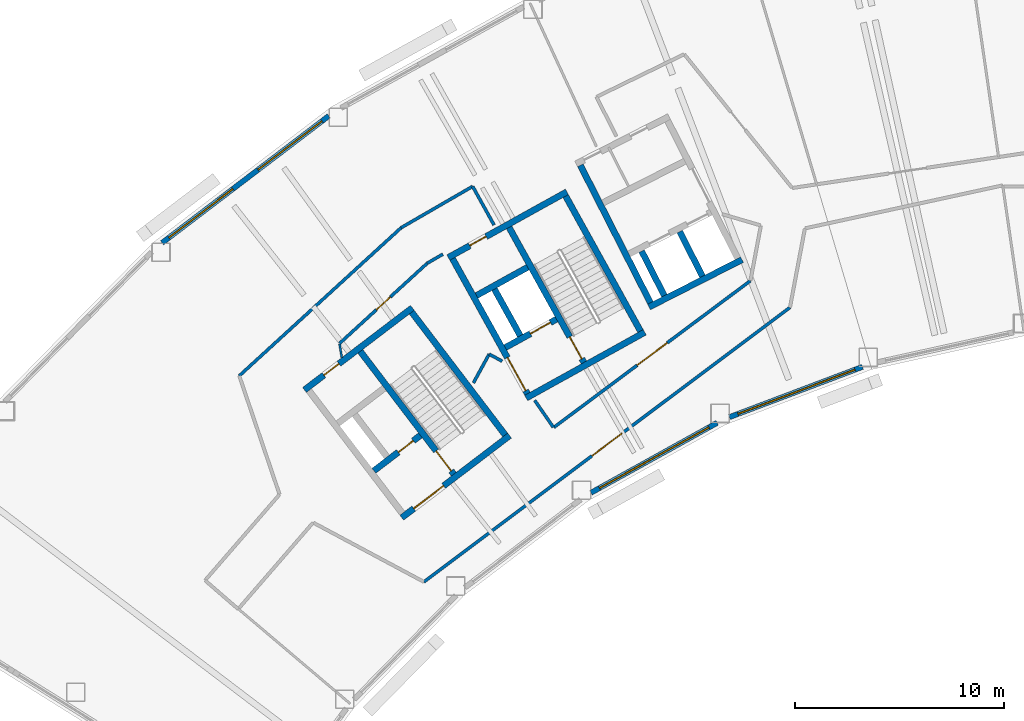
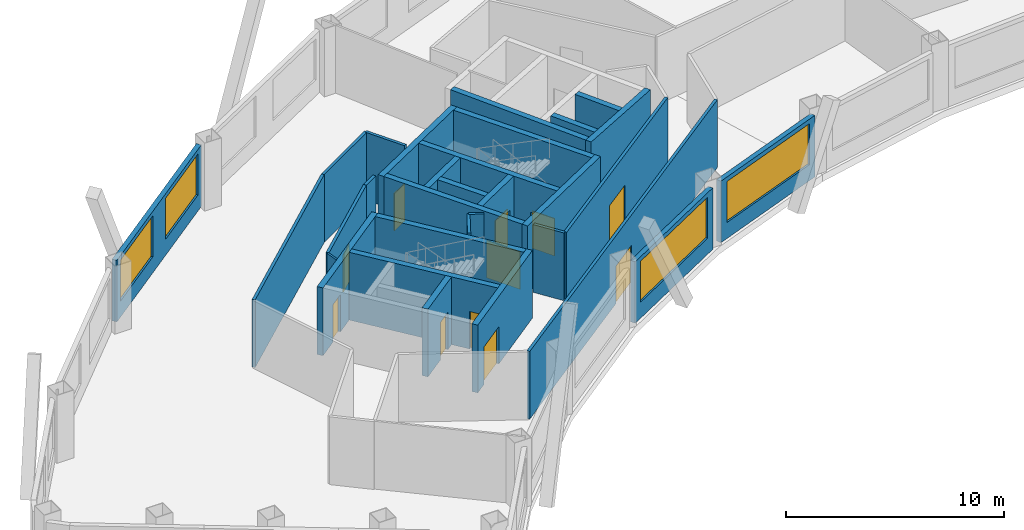
# One storey, part 5 of 12: 31 walls, 11 doors, 4 windows, 15 openings.
"""IFC4 building model written with IfcOpenShell, lengths in metres."""

from ifc_helpers import new_model, si_unit, direction, frame, frame_2d, origin, place, context, subcontext, project, spatial, rectangle, extrude, material, layer, layer_set, type_object, element, fill, save


model = new_model("IFC4")

# Units and contexts
model_context = context("Model", 3, precision=1e-05, world=origin(), true_north=direction((0.0, 1.0)))
body_context = subcontext(model_context, "Body", "Model", "MODEL_VIEW")
ifc_project = project(units=[si_unit("LENGTHUNIT", "METRE"), si_unit("AREAUNIT", "SQUARE_METRE"), si_unit("VOLUMEUNIT", "CUBIC_METRE"), si_unit("PLANEANGLEUNIT", "RADIAN"), si_unit("MASSUNIT", "GRAM", prefix="KILO")], contexts=[model_context])

# Site, building, storey
site_placement = place(None, origin())
site = spatial("IfcSite", under=ifc_project, at=site_placement, CompositionType="ELEMENT")
building_placement = place(site_placement, origin())
building = spatial("IfcBuilding", under=site, at=building_placement, Name="Tuul Gate Civic Tower", CompositionType="ELEMENT")
storey_placement = place(building_placement, frame((0.0, 0.0, 172.10009765625)))
storey = spatial("IfcBuildingStorey", under=building, at=storey_placement, Name="Level 39", CompositionType="ELEMENT", Elevation=172.10009765625)

# Wall, opening, door
ifc_material_1 = material(Name="Concrete C50/60", Category="concrete")
ifc_layer_1 = layer(ifc_material_1, 0.300048828125)
ifc_layer_set_1 = layer_set([ifc_layer_1], Name="Concrete C50/60")
wall_type_1 = type_object("IfcWallType", Name="Core wall C50/60", PredefinedType="SHEAR", material=ifc_layer_set_1)
wall_1_placement = place(storey_placement, frame((-31.19091796875, -13.669677734375, 0.0), z_axis=(0.0, 0.0, 1.0), x_axis=(-0.795606717756, -0.605813461934, 0.0)))
wall_1 = element("IfcWall", 1, at=wall_1_placement, inside=storey, type_object=wall_type_1, Name="Core wall", PredefinedType="SHEAR", context=body_context, shape_type="SweptSolid", body=[
    extrude(rectangle(XDim=6.5, YDim=0.300048828125, at=frame_2d((3.25, 0.0))), origin(), (0.0, 0.0, 1.0), 3.7998046875),
])
opening_1_placement = place(wall_1_placement, frame((3.97509765625, 0.0, 0.0)))
opening_1 = element("IfcOpeningElement", 2, at=opening_1_placement, cuts=wall_1, Name="Opening LB-W1-LOBBY-1", PredefinedType="OPENING", context=body_context, shape_type="SweptSolid", body=[
    extrude(rectangle(XDim=1.800048828125, YDim=2.10009765625, at=frame_2d((0.89990234375, 1.050048828125))), frame((0.0, 0.16015625, 0.0), z_axis=(0.0, -1.0, 0.0), x_axis=(1.0, 0.0, 0.0)), (0.0, 0.0, 1.0), 0.320068359375),
])
ifc_material_2 = material(Name="Steel", Category="steel")
door_type_1 = type_object("IfcDoorType", Name="Lobby door", OperationType="DOUBLE_DOOR_SINGLE_SWING", PredefinedType="DOOR", material=ifc_material_2)
door_1_placement = place(opening_1_placement, origin())
door_1 = element("IfcDoor", 3, at=door_1_placement, inside=storey, type_object=door_type_1, Name="Lobby door W1-LOBBY", OperationType="DOUBLE_DOOR_SINGLE_SWING", OverallHeight=2.10009765625, OverallWidth=1.800048828125, PredefinedType="DOOR", context=body_context, shape_type="SweptSolid", body=[
    extrude(rectangle(XDim=1.800048828125, YDim=2.10009765625, at=frame_2d((0.89990234375, 1.050048828125))), frame((0.0, 0.02490234375, 0.0), z_axis=(0.0, -1.0, 0.0), x_axis=(1.0, 0.0, 0.0)), (0.0, 0.0, 1.0), 0.050048828125),
])
fill(opening_1, door_1)

wall_2_placement = place(storey_placement, frame((-35.470947265625, -13.66064453125, 0.0), z_axis=(0.0, 0.0, 1.0), x_axis=(-0.795615822227, -0.605801504968, 0.0)))
wall_2 = element("IfcWall", 4, at=wall_2_placement, inside=storey, type_object=wall_type_1, Name="Core wall", PredefinedType="SHEAR", context=body_context, shape_type="SweptSolid", body=[
    extrude(rectangle(XDim=2.800048828125, YDim=0.300048828125, at=frame_2d((1.39990234375, 0.0))), origin(), (0.0, 0.0, 1.0), 3.7998046875),
])
opening_2_placement = place(wall_2_placement, frame((0.425048828125, 0.0, 0.0)))
opening_2 = element("IfcOpeningElement", 5, at=opening_2_placement, cuts=wall_2, Name="Opening FB-W1A1", PredefinedType="OPENING", context=body_context, shape_type="SweptSolid", body=[
    extrude(rectangle(XDim=0.89990234375, YDim=2.10009765625, at=frame_2d((0.449951171875, 1.050048828125))), frame((0.0, 0.16015625, 0.0), z_axis=(0.0, -1.0, 0.0), x_axis=(1.0, 0.0, 0.0)), (0.0, 0.0, 1.0), 0.320068359375),
])
ifc_material_3 = material(Name="Steel", Category="steel")
door_type_2 = type_object("IfcDoorType", Name="Store door", OperationType="NOTDEFINED", PredefinedType="DOOR", material=ifc_material_3)
door_2_placement = place(opening_2_placement, frame((0.89990234375, 0.0, 0.0), z_axis=(0.0, 0.0, 1.0), x_axis=(-1.0, 0.0, 0.0)))
door_2 = element("IfcDoor", 6, at=door_2_placement, inside=storey, type_object=door_type_2, Name="Store door W1A1", OperationType="SINGLE_SWING_RIGHT", OverallHeight=2.10009765625, OverallWidth=0.89990234375, PredefinedType="DOOR", context=body_context, shape_type="SweptSolid", body=[
    extrude(rectangle(XDim=0.89990234375, YDim=2.10009765625, at=frame_2d((0.449951171875, 1.050048828125))), frame((0.0, 0.02490234375, 0.0), z_axis=(0.0, -1.0, 0.0), x_axis=(1.0, 0.0, 0.0)), (0.0, 0.0, 1.0), 0.050048828125),
])
fill(opening_2, door_2)

wall_3_placement = place(storey_placement, frame((-35.855224609375, -7.543212890625, 0.0), z_axis=(0.0, 0.0, 1.0), x_axis=(-0.79563860527, -0.605771582202, 0.0)))
wall_3 = element("IfcWall", 7, at=wall_3_placement, inside=storey, type_object=wall_type_1, Name="Core wall", PredefinedType="SHEAR", context=body_context, shape_type="SweptSolid", body=[
    extrude(rectangle(XDim=6.5, YDim=0.300048828125, at=frame_2d((3.25, 0.0))), origin(), (0.0, 0.0, 1.0), 3.7998046875),
])
opening_3_placement = place(wall_3_placement, frame((4.425048828125, 0.0, 0.0)))
opening_3 = element("IfcOpeningElement", 8, at=opening_3_placement, cuts=wall_3, Name="Opening N-D13", PredefinedType="OPENING", context=body_context, shape_type="SweptSolid", body=[
    extrude(rectangle(XDim=0.89990234375, YDim=2.10009765625, at=frame_2d((0.449951171875, 1.050048828125))), frame((0.0, 0.16015625, 0.0), z_axis=(0.0, -1.0, 0.0), x_axis=(1.0, 0.0, 0.0)), (0.0, 0.0, 1.0), 0.320068359375),
])
ifc_material_4 = material(Name="Timber door leaf", Category="wood")
door_type_3 = type_object("IfcDoorType", Name="Door D09", OperationType="NOTDEFINED", PredefinedType="DOOR", material=ifc_material_4)
door_3_placement = place(opening_3_placement, origin())
door_3 = element("IfcDoor", 9, at=door_3_placement, inside=storey, type_object=door_type_3, Name="Door N-D13", OperationType="SINGLE_SWING_LEFT", OverallHeight=2.10009765625, OverallWidth=0.89990234375, PredefinedType="DOOR", context=body_context, shape_type="SweptSolid", body=[
    extrude(rectangle(XDim=0.89990234375, YDim=2.10009765625, at=frame_2d((0.449951171875, 1.050048828125))), frame((0.0, 0.02490234375, 0.0), z_axis=(0.0, -1.0, 0.0), x_axis=(1.0, 0.0, 0.0)), (0.0, 0.0, 1.0), 0.050048828125),
])
fill(opening_3, door_3)

# Wall
wall_4_placement = place(storey_placement, frame((-31.401123046875, -13.64111328125, 0.0), z_axis=(0.0, 0.0, 1.0), x_axis=(-0.605769822278, 0.795639945213, 0.0)))
element("IfcWall", 10, at=wall_4_placement, inside=storey, type_object=wall_type_1, Name="Core wall", PredefinedType="SHEAR", context=body_context, shape_type="SweptSolid", body=[
    extrude(rectangle(XDim=7.39990234375, YDim=0.300048828125, at=frame_2d((3.699951171875, 0.0))), origin(), (0.0, 0.0, 1.0), 3.7998046875),
])

# Wall, opening, door
wall_5_placement = place(storey_placement, frame((-33.867431640625, -15.51904296875, 0.0), z_axis=(0.0, 0.0, 1.0), x_axis=(-0.605769822278, 0.795639945213, 0.0)))
wall_5 = element("IfcWall", 11, at=wall_5_placement, inside=storey, type_object=wall_type_1, Name="Core wall", PredefinedType="SHEAR", context=body_context, shape_type="SweptSolid", body=[
    extrude(rectangle(XDim=7.39990234375, YDim=0.300048828125, at=frame_2d((3.699951171875, 0.0))), origin(), (0.0, 0.0, 1.0), 3.7998046875),
])
opening_4_placement = place(wall_5_placement, frame((0.199951171875, 0.0, 0.0)))
opening_4 = element("IfcOpeningElement", 12, at=opening_4_placement, cuts=wall_5, Name="Opening SD-ST-1", PredefinedType="OPENING", context=body_context, shape_type="SweptSolid", body=[
    extrude(rectangle(XDim=1.199951171875, YDim=2.10009765625, at=frame_2d((0.60009765625, 1.050048828125))), frame((0.0, 0.16015625, 0.0), z_axis=(0.0, -1.0, 0.0), x_axis=(1.0, 0.0, 0.0)), (0.0, 0.0, 1.0), 0.320068359375),
])
ifc_material_5 = material(Name="Steel", Category="steel")
door_type_4 = type_object("IfcDoorType", Name="Stair door", OperationType="NOTDEFINED", PredefinedType="DOOR", material=ifc_material_5)
door_4_placement = place(opening_4_placement, origin())
door_4 = element("IfcDoor", 13, at=door_4_placement, inside=storey, type_object=door_type_4, Name="Stair door ST-1", OperationType="SINGLE_SWING_LEFT", OverallHeight=2.10009765625, OverallWidth=1.199951171875, PredefinedType="DOOR", context=body_context, shape_type="SweptSolid", body=[
    extrude(rectangle(XDim=1.199951171875, YDim=2.10009765625, at=frame_2d((0.60009765625, 1.050048828125))), frame((0.0, 0.02490234375, 0.0), z_axis=(0.0, -1.0, 0.0), x_axis=(1.0, 0.0, 0.0)), (0.0, 0.0, 1.0), 0.050048828125),
])
fill(opening_4, door_4)

# Wall
wall_6_placement = place(storey_placement, frame((-24.711669921875, -8.7158203125, 0.0), z_axis=(0.0, 0.0, 1.0), x_axis=(-0.874629909008, -0.484791215132, 0.0)))
element("IfcWall", 14, at=wall_6_placement, inside=storey, type_object=wall_type_1, Name="Core wall", PredefinedType="SHEAR", context=body_context, shape_type="SweptSolid", body=[
    extrude(rectangle(XDim=6.5, YDim=0.300048828125, at=frame_2d((3.25, 0.0))), origin(), (0.0, 0.0, 1.0), 3.7998046875),
])

# Wall, opening, door
wall_7_placement = place(storey_placement, frame((-28.94580078125, -8.090087890625, 0.0), z_axis=(0.0, 0.0, 1.0), x_axis=(-0.874629840737, -0.484791338301, 0.0)))
wall_7 = element("IfcWall", 15, at=wall_7_placement, inside=storey, type_object=wall_type_1, Name="Core wall", PredefinedType="SHEAR", context=body_context, shape_type="SweptSolid", body=[
    extrude(rectangle(XDim=2.800048828125, YDim=0.300048828125, at=frame_2d((1.39990234375, 0.0))), origin(), (0.0, 0.0, 1.0), 3.7998046875),
])
opening_5_placement = place(wall_7_placement, frame((0.324951171875, 0.0, 0.0)))
opening_5 = element("IfcOpeningElement", 16, at=opening_5_placement, cuts=wall_7, Name="Opening LD-FF-1", PredefinedType="OPENING", context=body_context, shape_type="SweptSolid", body=[
    extrude(rectangle(XDim=1.10009765625, YDim=2.10009765625, at=frame_2d((0.550048828125, 1.050048828125))), frame((0.0, 0.16015625, 0.0), z_axis=(0.0, -1.0, 0.0), x_axis=(1.0, 0.0, 0.0)), (0.0, 0.0, 1.0), 0.320068359375),
])
ifc_material_6 = material(Name="Stainless steel", Category="steel")
door_type_5 = type_object("IfcDoorType", Name="Landing door", OperationType="DOUBLE_DOOR_SLIDING", PredefinedType="DOOR", material=ifc_material_6)
door_5_placement = place(opening_5_placement, origin())
door_5 = element("IfcDoor", 17, at=door_5_placement, inside=storey, type_object=door_type_5, Name="Fire-fighting lift FF-1 landing door", OperationType="DOUBLE_DOOR_SLIDING", OverallHeight=2.10009765625, OverallWidth=1.10009765625, PredefinedType="DOOR", context=body_context, shape_type="SweptSolid", body=[
    extrude(rectangle(XDim=1.10009765625, YDim=2.10009765625, at=frame_2d((0.550048828125, 1.050048828125))), frame((0.0, 0.02490234375, 0.0), z_axis=(0.0, -1.0, 0.0), x_axis=(1.0, 0.0, 0.0)), (0.0, 0.0, 1.0), 0.050048828125),
])
fill(opening_5, door_5)

# Wall
wall_8_placement = place(storey_placement, frame((-30.327392578125, -5.59716796875, 0.0), z_axis=(0.0, 0.0, 1.0), x_axis=(-0.874629840737, -0.484791338301, 0.0)))
element("IfcWall", 18, at=wall_8_placement, inside=storey, type_object=wall_type_1, Name="Core wall", PredefinedType="SHEAR", context=body_context, shape_type="SweptSolid", body=[
    extrude(rectangle(XDim=2.800048828125, YDim=0.300048828125, at=frame_2d((1.39990234375, 0.0))), origin(), (0.0, 0.0, 1.0), 3.7998046875),
])

# Wall, opening, door
wall_9_placement = place(storey_placement, frame((-28.4443359375, -1.98095703125, 0.0), z_axis=(0.0, 0.0, 1.0), x_axis=(-0.874629909008, -0.484791215132, 0.0)))
wall_9 = element("IfcWall", 19, at=wall_9_placement, inside=storey, type_object=wall_type_1, Name="Core wall", PredefinedType="SHEAR", context=body_context, shape_type="SweptSolid", body=[
    extrude(rectangle(XDim=6.5, YDim=0.300048828125, at=frame_2d((3.25, 0.0))), origin(), (0.0, 0.0, 1.0), 3.7998046875),
])
opening_6_placement = place(wall_9_placement, frame((4.425048828125, 0.0, 0.0)))
opening_6 = element("IfcOpeningElement", 20, at=opening_6_placement, cuts=wall_9, Name="Opening N-D14", PredefinedType="OPENING", context=body_context, shape_type="SweptSolid", body=[
    extrude(rectangle(XDim=0.89990234375, YDim=2.10009765625, at=frame_2d((0.449951171875, 1.050048828125))), frame((0.0, 0.16015625, 0.0), z_axis=(0.0, -1.0, 0.0), x_axis=(1.0, 0.0, 0.0)), (0.0, 0.0, 1.0), 0.320068359375),
])
door_6_placement = place(opening_6_placement, origin())
door_6 = element("IfcDoor", 21, at=door_6_placement, inside=storey, type_object=door_type_3, Name="Door N-D14", OperationType="SINGLE_SWING_LEFT", OverallHeight=2.10009765625, OverallWidth=0.89990234375, PredefinedType="DOOR", context=body_context, shape_type="SweptSolid", body=[
    extrude(rectangle(XDim=0.89990234375, YDim=2.10009765625, at=frame_2d((0.449951171875, 1.050048828125))), frame((0.0, 0.02490234375, 0.0), z_axis=(0.0, -1.0, 0.0), x_axis=(1.0, 0.0, 0.0)), (0.0, 0.0, 1.0), 0.050048828125),
])
fill(opening_6, door_6)

# Wall
wall_10_placement = place(storey_placement, frame((-24.91552734375, -8.6572265625, 0.0), z_axis=(0.0, 0.0, 1.0), x_axis=(-0.484777133038, 0.874637714304, 0.0)))
element("IfcWall", 22, at=wall_10_placement, inside=storey, type_object=wall_type_1, Name="Core wall", PredefinedType="SHEAR", context=body_context, shape_type="SweptSolid", body=[
    extrude(rectangle(XDim=7.400146484375, YDim=0.300048828125, at=frame_2d((3.7001953125, 0.0))), origin(), (0.0, 0.0, 1.0), 3.7998046875),
])

# Wall, opening, door
wall_11_placement = place(storey_placement, frame((-27.626953125, -10.16015625, 0.0), z_axis=(0.0, 0.0, 1.0), x_axis=(-0.484751894226, 0.874651702704, 0.0)))
wall_11 = element("IfcWall", 23, at=wall_11_placement, inside=storey, type_object=wall_type_1, Name="Core wall", PredefinedType="SHEAR", context=body_context, shape_type="SweptSolid", body=[
    extrude(rectangle(XDim=7.39990234375, YDim=0.300048828125, at=frame_2d((3.699951171875, 0.0))), origin(), (0.0, 0.0, 1.0), 3.7998046875),
])
opening_7_placement = place(wall_11_placement, frame((0.199951171875, 0.0, 0.0)))
opening_7 = element("IfcOpeningElement", 24, at=opening_7_placement, cuts=wall_11, Name="Opening SD-ST-2", PredefinedType="OPENING", context=body_context, shape_type="SweptSolid", body=[
    extrude(rectangle(XDim=1.199951171875, YDim=2.10009765625, at=frame_2d((0.60009765625, 1.050048828125))), frame((0.0, 0.16015625, 0.0), z_axis=(0.0, -1.0, 0.0), x_axis=(1.0, 0.0, 0.0)), (0.0, 0.0, 1.0), 0.320068359375),
])
door_7_placement = place(opening_7_placement, origin())
door_7 = element("IfcDoor", 25, at=door_7_placement, inside=storey, type_object=door_type_4, Name="Stair door ST-2", OperationType="SINGLE_SWING_LEFT", OverallHeight=2.10009765625, OverallWidth=1.199951171875, PredefinedType="DOOR", context=body_context, shape_type="SweptSolid", body=[
    extrude(rectangle(XDim=1.199951171875, YDim=2.10009765625, at=frame_2d((0.60009765625, 1.050048828125))), frame((0.0, 0.02490234375, 0.0), z_axis=(0.0, -1.0, 0.0), x_axis=(1.0, 0.0, 0.0)), (0.0, 0.0, 1.0), 0.050048828125),
])
fill(opening_7, door_7)

# Wall
wall_12_placement = place(storey_placement, frame((-30.680419921875, -8.8798828125, 0.0), z_axis=(0.0, 0.0, 1.0), x_axis=(-0.484724115216, 0.874667097888, 0.0)))
element("IfcWall", 26, at=wall_12_placement, inside=storey, type_object=wall_type_1, Name="Core wall", PredefinedType="SHEAR", context=body_context, shape_type="SweptSolid", body=[
    extrude(rectangle(XDim=2.550048828125, YDim=0.300048828125, at=frame_2d((1.27490234375, 0.0))), origin(), (0.0, 0.0, 1.0), 3.7998046875),
])

# Wall, opening, door
wall_13_placement = place(storey_placement, frame((-30.33837890625, -11.6630859375, 0.0), z_axis=(0.0, 0.0, 1.0), x_axis=(-0.484751894226, 0.874651702704, 0.0)))
wall_13 = element("IfcWall", 27, at=wall_13_placement, inside=storey, type_object=wall_type_1, Name="Core wall", PredefinedType="SHEAR", context=body_context, shape_type="SweptSolid", body=[
    extrude(rectangle(XDim=7.39990234375, YDim=0.300048828125, at=frame_2d((3.699951171875, 0.0))), origin(), (0.0, 0.0, 1.0), 3.7998046875),
])
opening_8_placement = place(wall_13_placement, frame((0.175048828125, 0.0, 0.0)))
opening_8 = element("IfcOpeningElement", 28, at=opening_8_placement, cuts=wall_13, Name="Opening LB-W2-FLOBBY-1", PredefinedType="OPENING", context=body_context, shape_type="SweptSolid", body=[
    extrude(rectangle(XDim=1.800048828125, YDim=2.10009765625, at=frame_2d((0.89990234375, 1.050048828125))), frame((0.0, 0.16015625, 0.0), z_axis=(0.0, -1.0, 0.0), x_axis=(1.0, 0.0, 0.0)), (0.0, 0.0, 1.0), 0.320068359375),
])
door_8_placement = place(opening_8_placement, frame((1.800048828125, 0.0, 0.0), z_axis=(0.0, 0.0, 1.0), x_axis=(-1.0, 0.0, 0.0)))
door_8 = element("IfcDoor", 29, at=door_8_placement, inside=storey, type_object=door_type_1, Name="Lobby door W2-FLOBBY", OperationType="DOUBLE_DOOR_SINGLE_SWING", OverallHeight=2.10009765625, OverallWidth=1.800048828125, PredefinedType="DOOR", context=body_context, shape_type="SweptSolid", body=[
    extrude(rectangle(XDim=1.800048828125, YDim=2.10009765625, at=frame_2d((0.900146484375, 1.050048828125))), frame((0.0, 0.02490234375, 0.0), z_axis=(0.0, -1.0, 0.0), x_axis=(1.0, 0.0, 0.0)), (0.0, 0.0, 1.0), 0.050048828125),
])
fill(opening_8, door_8)

ifc_material_7 = material(Name="Gypsum board partition")
ifc_layer_2 = layer(ifc_material_7, 0.14990234375)
ifc_layer_set_2 = layer_set([ifc_layer_2], Name="Gypsum board partition")
wall_type_2 = type_object("IfcWallType", Name="Corridor wall P150", PredefinedType="PARTITIONING", material=ifc_layer_set_2)
wall_14_placement = place(storey_placement, frame((-29.066650390625, -13.27490234375, 0.0), z_axis=(0.0, 0.0, 1.0), x_axis=(0.801557783096, 0.597917318998, 0.0)))
wall_14 = element("IfcWall", 30, at=wall_14_placement, inside=storey, type_object=wall_type_2, Name="p029", PredefinedType="PARTITIONING", context=body_context, shape_type="SweptSolid", body=[
    extrude(rectangle(XDim=11.752685546875, YDim=0.14990234375, at=frame_2d((5.87646484375, 0.0))), origin(), (0.0, 0.0, 1.0), 3.7998046875),
])
opening_9_placement = place(wall_14_placement, frame((4.976318359375, 0.0, 0.0)))
opening_9 = element("IfcOpeningElement", 31, at=opening_9_placement, cuts=wall_14, Name="Opening N-D07", PredefinedType="OPENING", context=body_context, shape_type="SweptSolid", body=[
    extrude(rectangle(XDim=1.800048828125, YDim=2.10009765625, at=frame_2d((0.89990234375, 1.050048828125))), frame((0.0, 0.0849609375, 0.0), z_axis=(0.0, -1.0, 0.0), x_axis=(1.0, 0.0, 0.0)), (0.0, 0.0, 1.0), 0.169921875),
])
ifc_material_8 = material(Name="Timber door leaf, double", Category="wood")
door_type_6 = type_object("IfcDoorType", Name="Door D18", OperationType="DOUBLE_DOOR_SINGLE_SWING", PredefinedType="DOOR", material=ifc_material_8)
door_9_placement = place(opening_9_placement, origin())
door_9 = element("IfcDoor", 32, at=door_9_placement, inside=storey, type_object=door_type_6, Name="Door N-D07", OperationType="DOUBLE_DOOR_SINGLE_SWING", OverallHeight=2.10009765625, OverallWidth=1.800048828125, PredefinedType="DOOR", context=body_context, shape_type="SweptSolid", body=[
    extrude(rectangle(XDim=1.800048828125, YDim=2.10009765625, at=frame_2d((0.89990234375, 1.050048828125))), frame((0.0, 0.02490234375, 0.0), z_axis=(0.0, -1.0, 0.0), x_axis=(1.0, 0.0, 0.0)), (0.0, 0.0, 1.0), 0.050048828125),
])
fill(opening_9, door_9)

# Walls
wall_15_placement = place(storey_placement, frame((-29.985107421875, -11.981689453125, 0.0), z_axis=(0.0, 0.0, 1.0), x_axis=(0.568261095122, -0.822848301798, 0.0)))
element("IfcWall", 33, at=wall_15_placement, inside=storey, type_object=wall_type_2, Name="p030", PredefinedType="PARTITIONING", context=body_context, shape_type="SweptSolid", body=[
    extrude(rectangle(XDim=1.56591796875, YDim=0.14990234375, at=frame_2d((0.782958984375, 0.0))), origin(), (0.0, 0.0, 1.0), 3.7998046875),
])
wall_16_placement = place(storey_placement, frame((-32.96240234375, -1.71923828125, 0.0), z_axis=(0.0, 0.0, 1.0), x_axis=(0.484507965231, -0.874786849254, 0.0)))
element("IfcWall", 34, at=wall_16_placement, inside=storey, type_object=wall_type_2, Name="p031", PredefinedType="PARTITIONING", context=body_context, shape_type="SweptSolid", body=[
    extrude(rectangle(XDim=2.119384765625, YDim=0.14990234375, at=frame_2d((1.0595703125, 0.0))), origin(), (0.0, 0.0, 1.0), 3.7998046875),
])
wall_17_placement = place(storey_placement, frame((-36.3896484375, -3.70068359375, 0.0), z_axis=(0.0, 0.0, 1.0), x_axis=(0.865727315481, 0.500515949027, 0.0)))
element("IfcWall", 35, at=wall_17_placement, inside=storey, type_object=wall_type_2, Name="p032", PredefinedType="PARTITIONING", context=body_context, shape_type="SweptSolid", body=[
    extrude(rectangle(XDim=3.958740234375, YDim=0.14990234375, at=frame_2d((1.9794921875, 0.0))), origin(), (0.0, 0.0, 1.0), 3.7998046875),
])
wall_18_placement = place(storey_placement, frame((-44.154541015625, -10.803466796875, 0.0), z_axis=(0.0, 0.0, 1.0), x_axis=(0.73786539209, 0.674947896623, 0.0)))
element("IfcWall", 36, at=wall_18_placement, inside=storey, type_object=wall_type_2, Name="p033", PredefinedType="PARTITIONING", context=body_context, shape_type="SweptSolid", body=[
    extrude(rectangle(XDim=10.5234375, YDim=0.14990234375, at=frame_2d((5.26171875, 0.0))), origin(), (0.0, 0.0, 1.0), 3.7998046875),
])

# Wall, opening, door
wall_19_placement = place(storey_placement, frame((-35.301513671875, -20.68359375, 0.0), z_axis=(0.0, 0.0, 1.0), x_axis=(0.800190923617, 0.599745350762, 0.0)))
wall_19 = element("IfcWall", 37, at=wall_19_placement, inside=storey, type_object=wall_type_2, Name="p044", PredefinedType="PARTITIONING", context=body_context, shape_type="SweptSolid", body=[
    extrude(rectangle(XDim=21.9384765625, YDim=0.14990234375, at=frame_2d((10.96923828125, 0.0))), origin(), (0.0, 0.0, 1.0), 3.7998046875),
])
opening_10_placement = place(wall_19_placement, frame((10.069091796875, 0.0, 0.0)))
opening_10 = element("IfcOpeningElement", 38, at=opening_10_placement, cuts=wall_19, Name="Opening N-D10", PredefinedType="OPENING", context=body_context, shape_type="SweptSolid", body=[
    extrude(rectangle(XDim=1.800048828125, YDim=2.10009765625, at=frame_2d((0.89990234375, 1.050048828125))), frame((0.0, 0.0849609375, 0.0), z_axis=(0.0, -1.0, 0.0), x_axis=(1.0, 0.0, 0.0)), (0.0, 0.0, 1.0), 0.169921875),
])
door_10_placement = place(opening_10_placement, frame((1.800048828125, 0.0, 0.0), z_axis=(0.0, 0.0, 1.0), x_axis=(-1.0, 0.0, 0.0)))
door_10 = element("IfcDoor", 39, at=door_10_placement, inside=storey, type_object=door_type_6, Name="Door N-D10", OperationType="DOUBLE_DOOR_SINGLE_SWING", OverallHeight=2.10009765625, OverallWidth=1.800048828125, PredefinedType="DOOR", context=body_context, shape_type="SweptSolid", body=[
    extrude(rectangle(XDim=1.800048828125, YDim=2.10009765625, at=frame_2d((0.900146484375, 1.050048828125))), frame((0.0, 0.02490234375, 0.0), z_axis=(0.0, -1.0, 0.0), x_axis=(1.0, 0.0, 0.0)), (0.0, 0.0, 1.0), 0.050048828125),
])
fill(opening_10, door_10)

wall_20_placement = place(storey_placement, frame((-39.34228515625, -9.24755859375, 0.0), z_axis=(0.0, 0.0, 1.0), x_axis=(0.73786949662, 0.674943409448, 0.0)))
wall_20 = element("IfcWall", 40, at=wall_20_placement, inside=storey, type_object=wall_type_2, Name="p047", PredefinedType="PARTITIONING", context=body_context, shape_type="SweptSolid", body=[
    extrude(rectangle(XDim=5.691650390625, YDim=0.14990234375, at=frame_2d((2.845703125, 0.0))), origin(), (0.0, 0.0, 1.0), 3.7998046875),
])
opening_11_placement = place(wall_20_placement, frame((2.39599609375, 0.0, 0.0)))
opening_11 = element("IfcOpeningElement", 41, at=opening_11_placement, cuts=wall_20, Name="Opening N-D11", PredefinedType="OPENING", context=body_context, shape_type="SweptSolid", body=[
    extrude(rectangle(XDim=0.89990234375, YDim=2.10009765625, at=frame_2d((0.449951171875, 1.050048828125))), frame((0.0, 0.0849609375, 0.0), z_axis=(0.0, -1.0, 0.0), x_axis=(1.0, 0.0, 0.0)), (0.0, 0.0, 1.0), 0.169921875),
])
door_11_placement = place(opening_11_placement, origin())
door_11 = element("IfcDoor", 42, at=door_11_placement, inside=storey, type_object=door_type_3, Name="Door N-D11", OperationType="SINGLE_SWING_RIGHT", OverallHeight=2.10009765625, OverallWidth=0.89990234375, PredefinedType="DOOR", context=body_context, shape_type="SweptSolid", body=[
    extrude(rectangle(XDim=0.89990234375, YDim=2.10009765625, at=frame_2d((0.449951171875, 1.050048828125))), frame((0.0, 0.02490234375, 0.0), z_axis=(0.0, -1.0, 0.0), x_axis=(1.0, 0.0, 0.0)), (0.0, 0.0, 1.0), 0.050048828125),
])
fill(opening_11, door_11)

# Walls
wall_21_placement = place(storey_placement, frame((-35.138916015625, -5.4033203125, 0.0), z_axis=(0.0, 0.0, 1.0), x_axis=(0.865658309045, 0.50063528839, 0.0)))
element("IfcWall", 43, at=wall_21_placement, inside=storey, type_object=wall_type_2, Name="p048", PredefinedType="PARTITIONING", context=body_context, shape_type="SweptSolid", body=[
    extrude(rectangle(XDim=0.8642578125, YDim=0.14990234375, at=frame_2d((0.43212890625, 0.0))), origin(), (0.0, 0.0, 1.0), 3.7998046875),
])
wall_22_placement = place(storey_placement, frame((-32.170654296875, -9.76318359375, 0.0), z_axis=(0.0, 0.0, 1.0), x_axis=(0.877188869085, -0.480145486236, 0.0)))
element("IfcWall", 44, at=wall_22_placement, inside=storey, type_object=wall_type_2, Name="p049", PredefinedType="PARTITIONING", context=body_context, shape_type="SweptSolid", body=[
    extrude(rectangle(XDim=0.7138671875, YDim=0.14990234375, at=frame_2d((0.35693359375, 0.0))), origin(), (0.0, 0.0, 1.0), 3.7998046875),
])
wall_23_placement = place(storey_placement, frame((-32.92578125, -11.142333984375, 0.0), z_axis=(0.0, 0.0, 1.0), x_axis=(0.479961794951, 0.877289390901, 0.0)))
element("IfcWall", 45, at=wall_23_placement, inside=storey, type_object=wall_type_2, Name="p050", PredefinedType="PARTITIONING", context=body_context, shape_type="SweptSolid", body=[
    extrude(rectangle(XDim=1.57177734375, YDim=0.14990234375, at=frame_2d((0.785888671875, 0.0))), origin(), (0.0, 0.0, 1.0), 3.7998046875),
])

# Wall, openings, windows
ifc_material_9 = material(Name="Precast concrete C40/50", Category="concrete")
ifc_layer_3 = layer(ifc_material_9, 0.25)
ifc_layer_set_3 = layer_set([ifc_layer_3], Name="Precast concrete C40/50")
wall_type_3 = type_object("IfcWallType", Name="External wall", PredefinedType="STANDARD", material=ifc_layer_set_3)
wall_24_placement = place(storey_placement, frame((-39.862060546875, 1.659423828125, 0.0), z_axis=(0.0, 0.0, 1.0), x_axis=(-0.795600211162, -0.605822006862, 0.0)))
wall_24 = element("IfcWall", 46, at=wall_24_placement, inside=storey, type_object=wall_type_3, Name="External wall", PredefinedType="STANDARD", context=body_context, shape_type="SweptSolid", body=[
    extrude(rectangle(XDim=10.043212890625, YDim=0.25, at=frame_2d((5.021484375, 0.0))), origin(), (0.0, 0.0, 1.0), 3.449951171875),
])
opening_12_placement = place(wall_24_placement, frame((0.410400390625, 0.0, 0.89990234375)))
opening_12 = element("IfcOpeningElement", 47, at=opening_12_placement, cuts=wall_24, Name="Opening W22", PredefinedType="OPENING", context=body_context, shape_type="SweptSolid", body=[
    extrude(rectangle(XDim=3.85009765625, YDim=2.300048828125, at=frame_2d((1.925048828125, 1.14990234375))), frame((0.0, 0.135009765625, 0.0), z_axis=(0.0, -1.0, 0.0), x_axis=(1.0, 0.0, 0.0)), (0.0, 0.0, 1.0), 0.27001953125),
])
opening_13_placement = place(wall_24_placement, frame((5.78173828125, 0.0, 0.89990234375)))
opening_13 = element("IfcOpeningElement", 48, at=opening_13_placement, cuts=wall_24, Name="Opening W22", PredefinedType="OPENING", context=body_context, shape_type="SweptSolid", body=[
    extrude(rectangle(XDim=3.85009765625, YDim=2.300048828125, at=frame_2d((1.925048828125, 1.14990234375))), frame((0.0, 0.135009765625, 0.0), z_axis=(0.0, -1.0, 0.0), x_axis=(1.0, 0.0, 0.0)), (0.0, 0.0, 1.0), 0.27001953125),
])
ifc_material_10 = material(Name="Glass", Category="glass")
window_type_1 = type_object("IfcWindowType", Name="Window W22 3850 x 2300", PartitioningType="SINGLE_PANEL", PredefinedType="WINDOW", material=ifc_material_10)
window_1_placement = place(opening_12_placement, origin())
window_1 = element("IfcWindow", 49, at=window_1_placement, inside=storey, type_object=window_type_1, Name="Window", OverallHeight=2.300048828125, OverallWidth=3.85009765625, PartitioningType="SINGLE_PANEL", PredefinedType="WINDOW", context=body_context, shape_type="SweptSolid", body=[
    extrude(rectangle(XDim=3.85009765625, YDim=2.300048828125, at=frame_2d((1.925048828125, 1.14990234375))), frame((0.0, 0.030029296875, 0.0), z_axis=(0.0, -1.0, 0.0), x_axis=(1.0, 0.0, 0.0)), (0.0, 0.0, 1.0), 0.06005859375),
])
fill(opening_12, window_1)
window_2_placement = place(opening_13_placement, origin())
window_2 = element("IfcWindow", 50, at=window_2_placement, inside=storey, type_object=window_type_1, Name="Window", OverallHeight=2.300048828125, OverallWidth=3.85009765625, PartitioningType="SINGLE_PANEL", PredefinedType="WINDOW", context=body_context, shape_type="SweptSolid", body=[
    extrude(rectangle(XDim=3.85009765625, YDim=2.300048828125, at=frame_2d((1.925048828125, 1.14990234375))), frame((0.0, 0.030029296875, 0.0), z_axis=(0.0, -1.0, 0.0), x_axis=(1.0, 0.0, 0.0)), (0.0, 0.0, 1.0), 0.06005859375),
])
fill(opening_13, window_2)

# Wall, opening, window
wall_25_placement = place(storey_placement, frame((-27.287109375, -16.41064453125, 0.0), z_axis=(0.0, 0.0, 1.0), x_axis=(0.874626480016, 0.484797401452, 0.0)))
wall_25 = element("IfcWall", 51, at=wall_25_placement, inside=storey, type_object=wall_type_3, Name="External wall", PredefinedType="STANDARD", context=body_context, shape_type="SweptSolid", body=[
    extrude(rectangle(XDim=6.915283203125, YDim=0.25, at=frame_2d((3.45751953125, 0.0))), origin(), (0.0, 0.0, 1.0), 3.449951171875),
])
opening_14_placement = place(wall_25_placement, frame((0.4619140625, 0.0, 0.89990234375)))
opening_14 = element("IfcOpeningElement", 52, at=opening_14_placement, cuts=wall_25, Name="Opening W26", PredefinedType="OPENING", context=body_context, shape_type="SweptSolid", body=[
    extrude(rectangle(XDim=6.0, YDim=2.300048828125, at=frame_2d((3.0, 1.14990234375))), frame((0.0, 0.135009765625, 0.0), z_axis=(0.0, -1.0, 0.0), x_axis=(1.0, 0.0, 0.0)), (0.0, 0.0, 1.0), 0.27001953125),
])
ifc_material_11 = material(Name="Glass", Category="glass")
window_type_2 = type_object("IfcWindowType", Name="Window W26 6000 x 2300", PartitioningType="SINGLE_PANEL", PredefinedType="WINDOW", material=ifc_material_11)
window_3_placement = place(opening_14_placement, origin())
window_3 = element("IfcWindow", 53, at=window_3_placement, inside=storey, type_object=window_type_2, Name="Window", OverallHeight=2.300048828125, OverallWidth=6.0, PartitioningType="SINGLE_PANEL", PredefinedType="WINDOW", context=body_context, shape_type="SweptSolid", body=[
    extrude(rectangle(XDim=6.0, YDim=2.300048828125, at=frame_2d((3.0, 1.14990234375))), frame((0.0, 0.030029296875, 0.0), z_axis=(0.0, -1.0, 0.0), x_axis=(1.0, 0.0, 0.0)), (0.0, 0.0, 1.0), 0.06005859375),
])
fill(opening_14, window_3)

wall_26_placement = place(storey_placement, frame((-20.64697265625, -12.78515625, 0.0), z_axis=(0.0, 0.0, 1.0), x_axis=(0.935360534404, 0.353695731779, 0.0)))
wall_26 = element("IfcWall", 54, at=wall_26_placement, inside=storey, type_object=wall_type_3, Name="External wall", PredefinedType="STANDARD", context=body_context, shape_type="SweptSolid", body=[
    extrude(rectangle(XDim=6.81982421875, YDim=0.25, at=frame_2d((3.409912109375, 0.0))), origin(), (0.0, 0.0, 1.0), 3.449951171875),
])
opening_15_placement = place(wall_26_placement, frame((0.43798828125, 0.0, 0.89990234375)))
opening_15 = element("IfcOpeningElement", 55, at=opening_15_placement, cuts=wall_26, Name="Opening W26", PredefinedType="OPENING", context=body_context, shape_type="SweptSolid", body=[
    extrude(rectangle(XDim=6.0, YDim=2.300048828125, at=frame_2d((3.0, 1.14990234375))), frame((0.0, 0.135009765625, 0.0), z_axis=(0.0, -1.0, 0.0), x_axis=(1.0, 0.0, 0.0)), (0.0, 0.0, 1.0), 0.27001953125),
])
window_4_placement = place(opening_15_placement, origin())
window_4 = element("IfcWindow", 56, at=window_4_placement, inside=storey, type_object=window_type_2, Name="Window", OverallHeight=2.300048828125, OverallWidth=6.0, PartitioningType="SINGLE_PANEL", PredefinedType="WINDOW", context=body_context, shape_type="SweptSolid", body=[
    extrude(rectangle(XDim=6.0, YDim=2.300048828125, at=frame_2d((3.0, 1.14990234375))), frame((0.0, 0.030029296875, 0.0), z_axis=(0.0, -1.0, 0.0), x_axis=(1.0, 0.0, 0.0)), (0.0, 0.0, 1.0), 0.06005859375),
])
fill(opening_15, window_4)

# Walls
ifc_material_12 = material(Name="Concrete C40/50", Category="concrete")
ifc_layer_4 = layer(ifc_material_12, 0.300048828125)
ifc_layer_set_4 = layer_set([ifc_layer_4], Name="Concrete C40/50")
wall_type_4 = type_object("IfcWallType", Name="Lift shaft wall C40/50", PredefinedType="STANDARD", material=ifc_layer_set_4)
wall_27_placement = place(storey_placement, frame((-20.049072265625, -5.232421875, 0.0), z_axis=(0.0, 0.0, 1.0), x_axis=(-0.891002976909, -0.453997461601, 0.0)))
element("IfcWall", 57, at=wall_27_placement, inside=storey, type_object=wall_type_4, Name="Shaft wall", PredefinedType="STANDARD", context=body_context, shape_type="SweptSolid", body=[
    extrude(rectangle(XDim=5.0, YDim=0.300048828125, at=frame_2d((2.5, 0.0))), origin(), (0.0, 0.0, 1.0), 3.7998046875),
])
for number, where, z_axis, x_axis, name in (
    (58, (-21.94384765625, -6.029296875, 0.0), (0.0, 0.0, 1.0), (-0.45403702923, 0.890982814698, 0.0), "Shaft wall"),
    (59, (-23.770263671875, -6.960205078125, 0.0), (0.0, 0.0, 1.0), (-0.45399587725, 0.891003784189, 0.0), "Shaft wall"),
):
    element("IfcWall", number, at=place(storey_placement, frame(where, z_axis=z_axis, x_axis=x_axis)), inside=storey, type_object=wall_type_4, Name=name, PredefinedType="STANDARD", context=body_context, shape_type="SweptSolid", body=[
        extrude(rectangle(XDim=2.39990234375, YDim=0.300048828125, at=frame_2d((1.199951171875, 0.0))), origin(), (0.0, 0.0, 1.0), 3.7998046875),
    ])
wall_28_placement = place(storey_placement, frame((-24.438720703125, -7.300537109375, 0.0), z_axis=(0.0, 0.0, 1.0), x_axis=(-0.453984101083, 0.891009784438, 0.0)))
element("IfcWall", 60, at=wall_28_placement, inside=storey, type_object=wall_type_4, Name="Shaft wall", PredefinedType="STANDARD", context=body_context, shape_type="SweptSolid", body=[
    extrude(rectangle(XDim=7.399658203125, YDim=0.300048828125, at=frame_2d((3.69970703125, 0.0))), origin(), (0.0, 0.0, 1.0), 3.7998046875),
])
ifc_material_13 = material(Name="Gypsum board partition")
ifc_layer_5 = layer(ifc_material_13, 0.10009765625)
ifc_layer_set_5 = layer_set([ifc_layer_5], Name="Gypsum board partition")
wall_type_5 = type_object("IfcWallType", Name="Partition P100", PredefinedType="PARTITIONING", material=ifc_layer_set_5)
wall_29_placement = place(storey_placement, frame((-39.237548828125, -9.929931640625, 0.0), z_axis=(0.0, 0.0, 1.0), x_axis=(-0.161358394496, 0.98689587522, 0.0)))
element("IfcWall", 61, at=wall_29_placement, inside=storey, type_object=wall_type_5, Name="p054", PredefinedType="PARTITIONING", context=body_context, shape_type="SweptSolid", body=[
    extrude(rectangle(XDim=0.664306640625, YDim=0.10009765625, at=frame_2d((0.33203125, 0.0))), origin(), (0.0, 0.0, 1.0), 3.7998046875),
])

save(model, "model.ifc")
